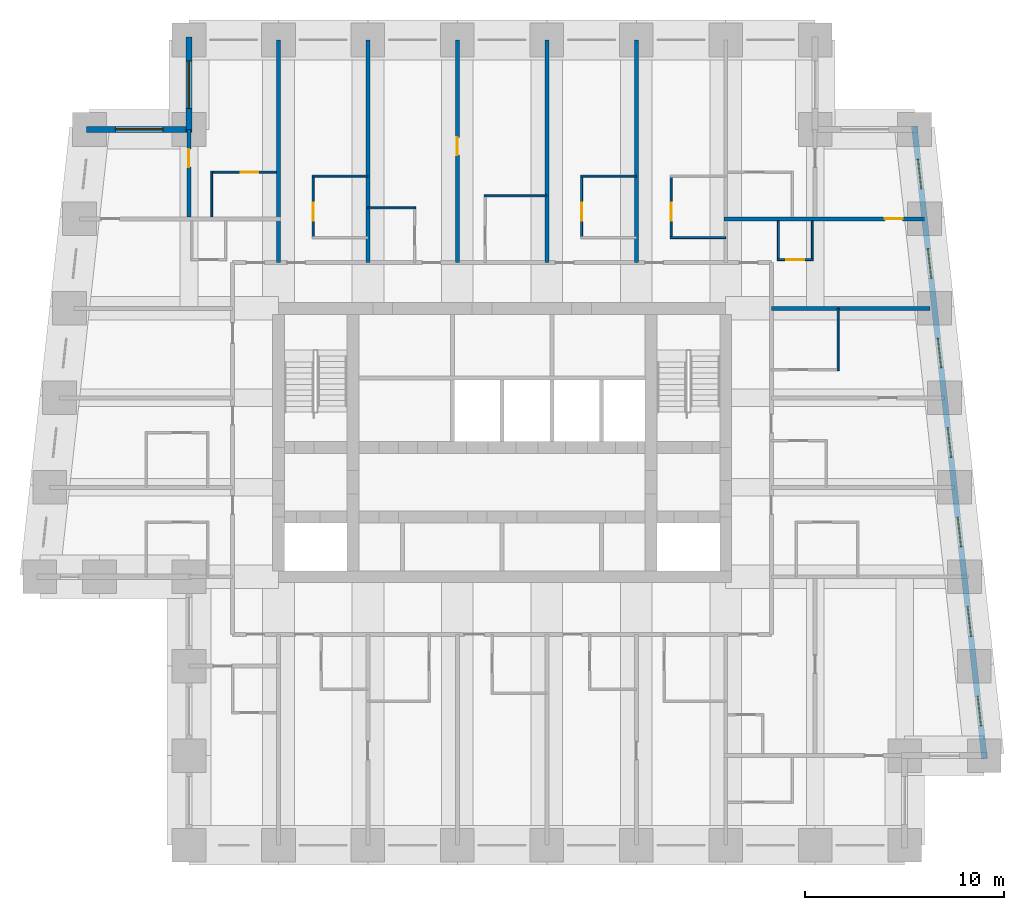
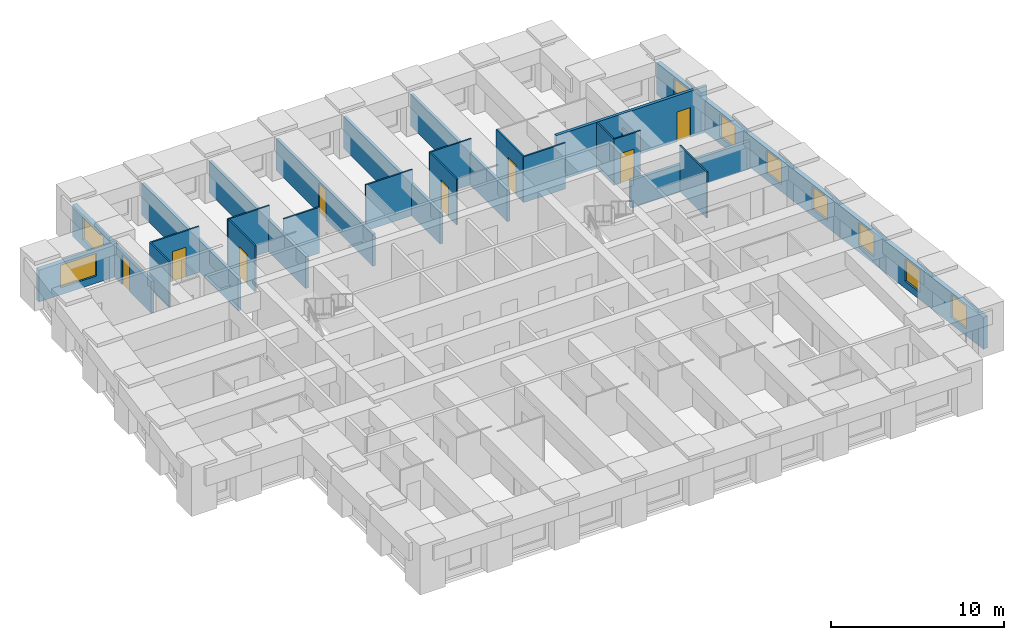
# One storey, part 6 of 8: 25 walls, 9 windows, 8 doors, 17 openings.
"""IFC4 building model written with IfcOpenShell, lengths in metres."""

from ifc_helpers import new_model, si_unit, direction, frame, frame_2d, origin, place, context, subcontext, project, spatial, rectangle, extrude, material, layer, layer_set, type_object, element, fill, save


model = new_model("IFC4")

# Units and contexts
model_context = context("Model", 3, precision=1e-05, world=origin(), true_north=direction((0.0, 1.0)))
body_context = subcontext(model_context, "Body", "Model", "MODEL_VIEW")
ifc_project = project(units=[si_unit("LENGTHUNIT", "METRE"), si_unit("AREAUNIT", "SQUARE_METRE"), si_unit("VOLUMEUNIT", "CUBIC_METRE"), si_unit("PLANEANGLEUNIT", "RADIAN"), si_unit("MASSUNIT", "GRAM", prefix="KILO")], contexts=[model_context])

# Site, building, storey
site_placement = place(None, origin())
site = spatial("IfcSite", under=ifc_project, at=site_placement, CompositionType="ELEMENT")
building_placement = place(site_placement, origin())
building = spatial("IfcBuilding", under=site, at=building_placement, Name="Kilele Tower Hotel", CompositionType="ELEMENT")
storey_placement = place(building_placement, frame((0.0, 0.0, 162.39990234375)))
storey = spatial("IfcBuildingStorey", under=building, at=storey_placement, Name="L41", CompositionType="ELEMENT", Elevation=162.39990234375)

# Walls
ifc_material_1 = material(Name="Moisture-resistant board")
ifc_layer_1 = layer(ifc_material_1, 0.10009765625)
ifc_layer_set_1 = layer_set([ifc_layer_1], Name="Moisture-resistant board")
wall_type_1 = type_object("IfcWallType", Name="Bathroom partition 100", PredefinedType="PLUMBINGWALL", material=ifc_layer_set_1)
wall_1_placement = place(storey_placement, frame((41.64990234375, 23.85009765625, 0.0), z_axis=(0.0, 0.0, 1.0), x_axis=(0.0, 1.0, 0.0)))
element("IfcWall", 1, at=wall_1_placement, inside=storey, type_object=wall_type_1, Name="Bathroom partition 100 L41", PredefinedType="PLUMBINGWALL", context=body_context, shape_type="SweptSolid", body=[
    extrude(rectangle(XDim=3.14990234375, YDim=0.10009765625, at=frame_2d((1.574951171875, 0.0))), origin(), (0.0, 0.0, 1.0), 3.25),
])
wall_2_placement = place(storey_placement, frame((15.199951171875, 33.64990234375, 0.0), z_axis=(0.0, 0.0, 1.0), x_axis=(1.0, 0.0, 0.0)))
element("IfcWall", 2, at=wall_2_placement, inside=storey, type_object=wall_type_1, Name="Bathroom partition 100 L41", PredefinedType="PLUMBINGWALL", context=body_context, shape_type="SweptSolid", body=[
    extrude(rectangle(XDim=2.800048828125, YDim=0.10009765625, at=frame_2d((1.39990234375, 0.0))), origin(), (0.0, 0.0, 1.0), 3.25),
])

# Wall, opening, door
wall_3_placement = place(storey_placement, frame((15.25, 30.5, 0.0), z_axis=(0.0, 0.0, 1.0), x_axis=(0.0, 1.0, 0.0)))
wall_3 = element("IfcWall", 3, at=wall_3_placement, inside=storey, type_object=wall_type_1, Name="Bathroom partition 100 L41", PredefinedType="PLUMBINGWALL", context=body_context, shape_type="SweptSolid", body=[
    extrude(rectangle(XDim=3.199951171875, YDim=0.10009765625, at=frame_2d((1.60009765625, 0.0))), origin(), (0.0, 0.0, 1.0), 3.25),
])
opening_1_placement = place(wall_3_placement, frame((0.89990234375, 0.0, 0.0)))
opening_1 = element("IfcOpeningElement", 4, at=opening_1_placement, cuts=wall_3, Name="Opening D2A", PredefinedType="OPENING", context=body_context, shape_type="SweptSolid", body=[
    extrude(rectangle(XDim=0.89990234375, YDim=2.10009765625, at=frame_2d((0.449951171875, 1.050048828125))), frame((0.0, 0.06005859375, 0.0), z_axis=(0.0, -1.0, 0.0), x_axis=(1.0, 0.0, 0.0)), (0.0, 0.0, 1.0), 0.1201171875),
])
ifc_material_2 = material(Name="Timber door leaf in hardwood frame", Category="wood")
door_type_1 = type_object("IfcDoorType", Name="Bathroom door 900", OperationType="SINGLE_SWING_LEFT", PredefinedType="DOOR", material=ifc_material_2)
door_1_placement = place(opening_1_placement, origin())
door_1 = element("IfcDoor", 5, at=door_1_placement, inside=storey, type_object=door_type_1, Name="Bathroom door 4109B", OperationType="SINGLE_SWING_LEFT", OverallHeight=2.10009765625, OverallWidth=0.89990234375, PredefinedType="DOOR", context=body_context, shape_type="SweptSolid", body=[
    extrude(rectangle(XDim=0.89990234375, YDim=2.10009765625, at=frame_2d((0.449951171875, 1.050048828125))), frame((0.0, 0.02490234375, 0.0), z_axis=(0.0, -1.0, 0.0), x_axis=(1.0, 0.0, 0.0)), (0.0, 0.0, 1.0), 0.050048828125),
])
fill(opening_1, door_1)

# Walls
wall_4_placement = place(storey_placement, frame((18.0, 32.050048828125, 0.0), z_axis=(0.0, 0.0, 1.0), x_axis=(1.0, 0.0, 0.0)))
element("IfcWall", 6, at=wall_4_placement, inside=storey, type_object=wall_type_1, Name="Bathroom partition 100 L41", PredefinedType="PLUMBINGWALL", context=body_context, shape_type="SweptSolid", body=[
    extrude(rectangle(XDim=2.39990234375, YDim=0.10009765625, at=frame_2d((1.199951171875, 0.0))), origin(), (0.0, 0.0, 1.0), 3.25),
])
wall_5_placement = place(storey_placement, frame((23.85009765625, 32.64990234375, 0.0), z_axis=(0.0, 0.0, 1.0), x_axis=(1.0, 0.0, 0.0)))
element("IfcWall", 7, at=wall_5_placement, inside=storey, type_object=wall_type_1, Name="Bathroom partition 100 L41", PredefinedType="PLUMBINGWALL", context=body_context, shape_type="SweptSolid", body=[
    extrude(rectangle(XDim=3.14990234375, YDim=0.10009765625, at=frame_2d((1.574951171875, 0.0))), origin(), (0.0, 0.0, 1.0), 3.25),
])
wall_6_placement = place(storey_placement, frame((28.699951171875, 33.64990234375, 0.0), z_axis=(0.0, 0.0, 1.0), x_axis=(1.0, 0.0, 0.0)))
element("IfcWall", 8, at=wall_6_placement, inside=storey, type_object=wall_type_1, Name="Bathroom partition 100 L41", PredefinedType="PLUMBINGWALL", context=body_context, shape_type="SweptSolid", body=[
    extrude(rectangle(XDim=2.800048828125, YDim=0.10009765625, at=frame_2d((1.39990234375, 0.0))), origin(), (0.0, 0.0, 1.0), 3.25),
])

# Wall, opening, door
wall_7_placement = place(storey_placement, frame((28.75, 30.5, 0.0), z_axis=(0.0, 0.0, 1.0), x_axis=(0.0, 1.0, 0.0)))
wall_7 = element("IfcWall", 9, at=wall_7_placement, inside=storey, type_object=wall_type_1, Name="Bathroom partition 100 L41", PredefinedType="PLUMBINGWALL", context=body_context, shape_type="SweptSolid", body=[
    extrude(rectangle(XDim=3.199951171875, YDim=0.10009765625, at=frame_2d((1.60009765625, 0.0))), origin(), (0.0, 0.0, 1.0), 3.25),
])
opening_2_placement = place(wall_7_placement, frame((0.89990234375, 0.0, 0.0)))
opening_2 = element("IfcOpeningElement", 10, at=opening_2_placement, cuts=wall_7, Name="Opening D2A", PredefinedType="OPENING", context=body_context, shape_type="SweptSolid", body=[
    extrude(rectangle(XDim=0.89990234375, YDim=2.10009765625, at=frame_2d((0.449951171875, 1.050048828125))), frame((0.0, 0.06005859375, 0.0), z_axis=(0.0, -1.0, 0.0), x_axis=(1.0, 0.0, 0.0)), (0.0, 0.0, 1.0), 0.1201171875),
])
door_2_placement = place(opening_2_placement, origin())
door_2 = element("IfcDoor", 11, at=door_2_placement, inside=storey, type_object=door_type_1, Name="Bathroom door 4112B", OperationType="SINGLE_SWING_LEFT", OverallHeight=2.10009765625, OverallWidth=0.89990234375, PredefinedType="DOOR", context=body_context, shape_type="SweptSolid", body=[
    extrude(rectangle(XDim=0.89990234375, YDim=2.10009765625, at=frame_2d((0.449951171875, 1.050048828125))), frame((0.0, 0.02490234375, 0.0), z_axis=(0.0, -1.0, 0.0), x_axis=(1.0, 0.0, 0.0)), (0.0, 0.0, 1.0), 0.050048828125),
])
fill(opening_2, door_2)

# Wall
wall_8_placement = place(storey_placement, frame((33.199951171875, 30.550048828125, 0.0), z_axis=(0.0, 0.0, 1.0), x_axis=(1.0, 0.0, 0.0)))
element("IfcWall", 12, at=wall_8_placement, inside=storey, type_object=wall_type_1, Name="Bathroom partition 100 L41", PredefinedType="PLUMBINGWALL", context=body_context, shape_type="SweptSolid", body=[
    extrude(rectangle(XDim=2.800048828125, YDim=0.10009765625, at=frame_2d((1.39990234375, 0.0))), origin(), (0.0, 0.0, 1.0), 3.25),
])

# Wall, opening, door
wall_9_placement = place(storey_placement, frame((33.25, 30.5, 0.0), z_axis=(0.0, 0.0, 1.0), x_axis=(0.0, 1.0, 0.0)))
wall_9 = element("IfcWall", 13, at=wall_9_placement, inside=storey, type_object=wall_type_1, Name="Bathroom partition 100 L41", PredefinedType="PLUMBINGWALL", context=body_context, shape_type="SweptSolid", body=[
    extrude(rectangle(XDim=3.199951171875, YDim=0.10009765625, at=frame_2d((1.60009765625, 0.0))), origin(), (0.0, 0.0, 1.0), 3.25),
])
opening_3_placement = place(wall_9_placement, frame((0.89990234375, 0.0, 0.0)))
opening_3 = element("IfcOpeningElement", 14, at=opening_3_placement, cuts=wall_9, Name="Opening D2A", PredefinedType="OPENING", context=body_context, shape_type="SweptSolid", body=[
    extrude(rectangle(XDim=0.89990234375, YDim=2.10009765625, at=frame_2d((0.449951171875, 1.050048828125))), frame((0.0, 0.06005859375, 0.0), z_axis=(0.0, -1.0, 0.0), x_axis=(1.0, 0.0, 0.0)), (0.0, 0.0, 1.0), 0.1201171875),
])
door_3_placement = place(opening_3_placement, origin())
door_3 = element("IfcDoor", 15, at=door_3_placement, inside=storey, type_object=door_type_1, Name="Bathroom door 4113B", OperationType="SINGLE_SWING_LEFT", OverallHeight=2.10009765625, OverallWidth=0.89990234375, PredefinedType="DOOR", context=body_context, shape_type="SweptSolid", body=[
    extrude(rectangle(XDim=0.89990234375, YDim=2.10009765625, at=frame_2d((0.449951171875, 1.050048828125))), frame((0.0, 0.02490234375, 0.0), z_axis=(0.0, -1.0, 0.0), x_axis=(1.0, 0.0, 0.0)), (0.0, 0.0, 1.0), 0.050048828125),
])
fill(opening_3, door_3)

# Walls
wall_10_placement = place(storey_placement, frame((40.35009765625, 31.39990234375, 0.0), z_axis=(0.0, 0.0, 1.0), x_axis=(0.0, -1.0, 0.0)))
element("IfcWall", 16, at=wall_10_placement, inside=storey, type_object=wall_type_1, Name="Bathroom partition 100 L41", PredefinedType="PLUMBINGWALL", context=body_context, shape_type="SweptSolid", body=[
    extrude(rectangle(XDim=2.0, YDim=0.10009765625, at=frame_2d((1.0, 0.0))), origin(), (0.0, 0.0, 1.0), 2.25),
])
wall_11_placement = place(storey_placement, frame((38.64990234375, 31.39990234375, 0.0), z_axis=(0.0, 0.0, 1.0), x_axis=(0.0, -1.0, 0.0)))
element("IfcWall", 17, at=wall_11_placement, inside=storey, type_object=wall_type_1, Name="Bathroom partition 100 L41", PredefinedType="PLUMBINGWALL", context=body_context, shape_type="SweptSolid", body=[
    extrude(rectangle(XDim=2.0, YDim=0.10009765625, at=frame_2d((1.0, 0.0))), origin(), (0.0, 0.0, 1.0), 3.25),
])

# Wall, opening, door
wall_12_placement = place(storey_placement, frame((38.60009765625, 29.449951171875, 0.0), z_axis=(0.0, 0.0, 1.0), x_axis=(1.0, 0.0, 0.0)))
wall_12 = element("IfcWall", 18, at=wall_12_placement, inside=storey, type_object=wall_type_1, Name="Bathroom partition 100 L41", PredefinedType="PLUMBINGWALL", context=body_context, shape_type="SweptSolid", body=[
    extrude(rectangle(XDim=1.7998046875, YDim=0.10009765625, at=frame_2d((0.89990234375, 0.0))), origin(), (0.0, 0.0, 1.0), 3.25),
])
opening_4_placement = place(wall_12_placement, frame((1.349853515625, 0.0, 0.0), z_axis=(0.0, 0.0, 1.0), x_axis=(-1.0, 0.0, 0.0)))
opening_4 = element("IfcOpeningElement", 19, at=opening_4_placement, cuts=wall_12, Name="Opening D2A", PredefinedType="OPENING", context=body_context, shape_type="SweptSolid", body=[
    extrude(rectangle(XDim=0.89990234375, YDim=2.10009765625, at=frame_2d((0.449951171875, 1.050048828125))), frame((0.0, 0.06005859375, 0.0), z_axis=(0.0, -1.0, 0.0), x_axis=(1.0, 0.0, 0.0)), (0.0, 0.0, 1.0), 0.1201171875),
])
door_4_placement = place(opening_4_placement, origin())
door_4 = element("IfcDoor", 20, at=door_4_placement, inside=storey, type_object=door_type_1, Name="Bathroom door 4122P", OperationType="SINGLE_SWING_RIGHT", OverallHeight=2.10009765625, OverallWidth=0.89990234375, PredefinedType="DOOR", context=body_context, shape_type="SweptSolid", body=[
    extrude(rectangle(XDim=0.89990234375, YDim=2.10009765625, at=frame_2d((0.449951171875, 1.050048828125))), frame((0.0, 0.02490234375, 0.0), z_axis=(0.0, -1.0, 0.0), x_axis=(1.0, 0.0, 0.0)), (0.0, 0.0, 1.0), 0.050048828125),
])
fill(opening_4, door_4)

# Wall
wall_13_placement = place(storey_placement, frame((10.14990234375, 31.60009765625, 0.0), z_axis=(0.0, 0.0, 1.0), x_axis=(0.0, 1.0, 0.0)))
element("IfcWall", 21, at=wall_13_placement, inside=storey, type_object=wall_type_1, Name="Bathroom partition 100 L41", PredefinedType="PLUMBINGWALL", context=body_context, shape_type="SweptSolid", body=[
    extrude(rectangle(XDim=2.2998046875, YDim=0.10009765625, at=frame_2d((1.14990234375, 0.0))), origin(), (0.0, 0.0, 1.0), 3.25),
])

# Wall, opening, door
wall_14_placement = place(storey_placement, frame((13.39990234375, 33.85009765625, 0.0), z_axis=(0.0, 0.0, 1.0), x_axis=(-1.0, 0.0, 0.0)))
wall_14 = element("IfcWall", 22, at=wall_14_placement, inside=storey, type_object=wall_type_1, Name="Bathroom partition 100 L41", PredefinedType="PLUMBINGWALL", context=body_context, shape_type="SweptSolid", body=[
    extrude(rectangle(XDim=3.2998046875, YDim=0.10009765625, at=frame_2d((1.64990234375, 0.0))), origin(), (0.0, 0.0, 1.0), 3.25),
])
opening_5_placement = place(wall_14_placement, frame((1.7998046875, 0.0, 0.0), z_axis=(0.0, 0.0, 1.0), x_axis=(-1.0, 0.0, 0.0)))
opening_5 = element("IfcOpeningElement", 23, at=opening_5_placement, cuts=wall_14, Name="Opening D2A", PredefinedType="OPENING", context=body_context, shape_type="SweptSolid", body=[
    extrude(rectangle(XDim=0.89990234375, YDim=2.10009765625, at=frame_2d((0.449951171875, 1.050048828125))), frame((0.0, 0.06005859375, 0.0), z_axis=(0.0, -1.0, 0.0), x_axis=(1.0, 0.0, 0.0)), (0.0, 0.0, 1.0), 0.1201171875),
])
door_5_placement = place(opening_5_placement, origin())
door_5 = element("IfcDoor", 24, at=door_5_placement, inside=storey, type_object=door_type_1, Name="Bathroom door 4126B", OperationType="SINGLE_SWING_RIGHT", OverallHeight=2.10009765625, OverallWidth=0.89990234375, PredefinedType="DOOR", context=body_context, shape_type="SweptSolid", body=[
    extrude(rectangle(XDim=0.89990234375, YDim=2.10009765625, at=frame_2d((0.449951171875, 1.050048828125))), frame((0.0, 0.02490234375, 0.0), z_axis=(0.0, -1.0, 0.0), x_axis=(1.0, 0.0, 0.0)), (0.0, 0.0, 1.0), 0.050048828125),
])
fill(opening_5, door_5)

ifc_material_3 = material(Name="Blockwork, plastered both sides", Category="masonry")
ifc_layer_2 = layer(ifc_material_3, 0.199951171875)
ifc_layer_set_2 = layer_set([ifc_layer_2], Name="Blockwork, plastered both sides")
wall_type_2 = type_object("IfcWallType", Name="Partition wall 200", PredefinedType="PARTITIONING", material=ifc_layer_set_2)
wall_15_placement = place(storey_placement, frame((9.0, 31.60009765625, 0.0), z_axis=(0.0, 0.0, 1.0), x_axis=(0.0, 1.0, 0.0)))
wall_15 = element("IfcWall", 25, at=wall_15_placement, inside=storey, type_object=wall_type_2, Name="Partition wall 200 L41", PredefinedType="PARTITIONING", context=body_context, shape_type="SweptSolid", body=[
    extrude(rectangle(XDim=4.39990234375, YDim=0.199951171875, at=frame_2d((2.199951171875, 0.0))), origin(), (0.0, 0.0, 1.0), 2.25),
])
opening_6_placement = place(wall_15_placement, frame((2.5, 0.0, 0.0)))
opening_6 = element("IfcOpeningElement", 26, at=opening_6_placement, cuts=wall_15, Name="Opening D3", PredefinedType="OPENING", context=body_context, shape_type="SweptSolid", body=[
    extrude(rectangle(XDim=0.89990234375, YDim=2.10009765625, at=frame_2d((0.449951171875, 1.050048828125))), frame((0.0, 0.10986328125, 0.0), z_axis=(0.0, -1.0, 0.0), x_axis=(1.0, 0.0, 0.0)), (0.0, 0.0, 1.0), 0.219970703125),
])
ifc_material_4 = material(Name="Timber door leaf in hardwood frame", Category="wood")
door_type_2 = type_object("IfcDoorType", Name="Suite internal door 900", OperationType="SINGLE_SWING_LEFT", PredefinedType="DOOR", material=ifc_material_4)
door_6_placement = place(opening_6_placement, origin())
door_6 = element("IfcDoor", 27, at=door_6_placement, inside=storey, type_object=door_type_2, Name="Suite door 4127", OperationType="SINGLE_SWING_RIGHT", OverallHeight=2.10009765625, OverallWidth=0.89990234375, PredefinedType="DOOR", context=body_context, shape_type="SweptSolid", body=[
    extrude(rectangle(XDim=0.89990234375, YDim=2.10009765625, at=frame_2d((0.449951171875, 1.050048828125))), frame((0.0, 0.02490234375, 0.0), z_axis=(0.0, -1.0, 0.0), x_axis=(1.0, 0.0, 0.0)), (0.0, 0.0, 1.0), 0.050048828125),
])
fill(opening_6, door_6)

# Wall
ifc_material_5 = material(Name="Blockwork, plastered both sides", Category="masonry")
ifc_layer_3 = layer(ifc_material_5, 0.199951171875)
ifc_layer_set_3 = layer_set([ifc_layer_3], Name="Blockwork, plastered both sides")
wall_type_3 = type_object("IfcWallType", Name="Party wall 200", PredefinedType="PARTITIONING", material=ifc_layer_set_3)
wall_16_placement = place(storey_placement, frame((18.0, 29.300048828125, 0.0), z_axis=(0.0, 0.0, 1.0), x_axis=(0.0, 1.0, 0.0)))
element("IfcWall", 28, at=wall_16_placement, inside=storey, type_object=wall_type_3, Name="Party wall 200 L41", PredefinedType="PARTITIONING", context=body_context, shape_type="SweptSolid", body=[
    extrude(rectangle(XDim=11.199951171875, YDim=0.199951171875, at=frame_2d((5.60009765625, 0.0))), origin(), (0.0, 0.0, 1.0), 2.25),
])

# Wall, opening, door
wall_17_placement = place(storey_placement, frame((22.5, 29.300048828125, 0.0), z_axis=(0.0, 0.0, 1.0), x_axis=(0.0, 1.0, 0.0)))
wall_17 = element("IfcWall", 29, at=wall_17_placement, inside=storey, type_object=wall_type_3, Name="Party wall 200 L41", PredefinedType="PARTITIONING", context=body_context, shape_type="SweptSolid", body=[
    extrude(rectangle(XDim=11.199951171875, YDim=0.199951171875, at=frame_2d((5.60009765625, 0.0))), origin(), (0.0, 0.0, 1.0), 2.25),
])
opening_7_placement = place(wall_17_placement, frame((5.39990234375, 0.0, 0.0)))
opening_7 = element("IfcOpeningElement", 30, at=opening_7_placement, cuts=wall_17, Name="Opening D3", PredefinedType="OPENING", context=body_context, shape_type="SweptSolid", body=[
    extrude(rectangle(XDim=0.89990234375, YDim=2.10009765625, at=frame_2d((0.449951171875, 1.050048828125))), frame((0.0, 0.10986328125, 0.0), z_axis=(0.0, -1.0, 0.0), x_axis=(1.0, 0.0, 0.0)), (0.0, 0.0, 1.0), 0.219970703125),
])
door_7_placement = place(opening_7_placement, origin())
door_7 = element("IfcDoor", 31, at=door_7_placement, inside=storey, type_object=door_type_2, Name="Suite door 4111", OperationType="SINGLE_SWING_RIGHT", OverallHeight=2.10009765625, OverallWidth=0.89990234375, PredefinedType="DOOR", context=body_context, shape_type="SweptSolid", body=[
    extrude(rectangle(XDim=0.89990234375, YDim=2.10009765625, at=frame_2d((0.449951171875, 1.050048828125))), frame((0.0, 0.02490234375, 0.0), z_axis=(0.0, -1.0, 0.0), x_axis=(1.0, 0.0, 0.0)), (0.0, 0.0, 1.0), 0.050048828125),
])
fill(opening_7, door_7)

# Walls
for number, where, z_axis, x_axis, name in (
    (32, (27.0, 29.300048828125, 0.0), (0.0, 0.0, 1.0), (0.0, 1.0, 0.0), "Party wall 200 L41"),
    (33, (31.5, 29.300048828125, 0.0), (0.0, 0.0, 1.0), (0.0, 1.0, 0.0), "Party wall 200 L41"),
):
    element("IfcWall", number, at=place(storey_placement, frame(where, z_axis=z_axis, x_axis=x_axis)), inside=storey, type_object=wall_type_3, Name=name, PredefinedType="PARTITIONING", context=body_context, shape_type="SweptSolid", body=[
        extrude(rectangle(XDim=11.199951171875, YDim=0.199951171875, at=frame_2d((5.60009765625, 0.0))), origin(), (0.0, 0.0, 1.0), 2.25),
    ])
wall_18_placement = place(storey_placement, frame((38.300048828125, 27.0, 0.0), z_axis=(0.0, 0.0, 1.0), x_axis=(1.0, 0.0, 0.0)))
element("IfcWall", 34, at=wall_18_placement, inside=storey, type_object=wall_type_3, Name="Party wall 200 L41", PredefinedType="PARTITIONING", context=body_context, shape_type="SweptSolid", body=[
    extrude(rectangle(XDim=7.976806640625, YDim=0.199951171875, at=frame_2d((3.98828125, 0.0))), origin(), (0.0, 0.0, 1.0), 1.9501953125),
])

# Wall, opening, door
wall_19_placement = place(storey_placement, frame((35.89990234375, 31.5, 0.0), z_axis=(0.0, 0.0, 1.0), x_axis=(1.0, 0.0, 0.0)))
wall_19 = element("IfcWall", 35, at=wall_19_placement, inside=storey, type_object=wall_type_3, Name="Party wall 200 L41", PredefinedType="PARTITIONING", context=body_context, shape_type="SweptSolid", body=[
    extrude(rectangle(XDim=10.09912109375, YDim=0.199951171875, at=frame_2d((5.049560546875, 0.0))), origin(), (0.0, 0.0, 1.0), 3.25),
])
opening_8_placement = place(wall_19_placement, frame((8.09912109375, 0.0, 0.0)))
opening_8 = element("IfcOpeningElement", 36, at=opening_8_placement, cuts=wall_19, Name="Opening D3", PredefinedType="OPENING", context=body_context, shape_type="SweptSolid", body=[
    extrude(rectangle(XDim=0.89990234375, YDim=2.10009765625, at=frame_2d((0.449951171875, 1.050048828125))), frame((0.0, 0.10986328125, 0.0), z_axis=(0.0, -1.0, 0.0), x_axis=(1.0, 0.0, 0.0)), (0.0, 0.0, 1.0), 0.219970703125),
])
door_8_placement = place(opening_8_placement, origin())
door_8 = element("IfcDoor", 37, at=door_8_placement, inside=storey, type_object=door_type_2, Name="Suite door 4123", OperationType="SINGLE_SWING_RIGHT", OverallHeight=2.10009765625, OverallWidth=0.89990234375, PredefinedType="DOOR", context=body_context, shape_type="SweptSolid", body=[
    extrude(rectangle(XDim=0.89990234375, YDim=2.10009765625, at=frame_2d((0.449951171875, 1.050048828125))), frame((0.0, 0.02490234375, 0.0), z_axis=(0.0, -1.0, 0.0), x_axis=(1.0, 0.0, 0.0)), (0.0, 0.0, 1.0), 0.050048828125),
])
fill(opening_8, door_8)

# Wall
wall_20_placement = place(storey_placement, frame((13.5, 29.300048828125, 0.0), z_axis=(0.0, 0.0, 1.0), x_axis=(0.0, 1.0, 0.0)))
element("IfcWall", 38, at=wall_20_placement, inside=storey, type_object=wall_type_3, Name="Party wall 200 L41", PredefinedType="PARTITIONING", context=body_context, shape_type="SweptSolid", body=[
    extrude(rectangle(XDim=11.199951171875, YDim=0.199951171875, at=frame_2d((5.60009765625, 0.0))), origin(), (0.0, 0.0, 1.0), 2.25),
])

# Wall, openings, windows
ifc_material_6 = material(Name="Concrete C40/50 precast", Category="concrete")
ifc_layer_4 = layer(ifc_material_6, 0.260009765625, Name="Precast backing", Category="LoadBearing")
ifc_material_7 = material(Name="Reconstituted stone finish", Category="masonry")
ifc_layer_5 = layer(ifc_material_7, 0.0400390625, Name="Face mix", Category="Finish")
ifc_layer_set_4 = layer_set([ifc_layer_4, ifc_layer_5], Name="Precast concrete C40/50, reconstituted stone finish")
wall_type_4 = type_object("IfcWallType", Name="Precast stone facade wall 300", PredefinedType="STANDARD", material=ifc_layer_set_4)
wall_21_placement = place(storey_placement, frame((49.0166015625, 4.350830078125, 0.0), z_axis=(0.0, 0.0, 1.0), x_axis=(-0.110433201132, 0.993883548555, 0.0)))
wall_21 = element("IfcWall", 39, at=wall_21_placement, inside=storey, type_object=wall_type_4, Name="Facade wall L41 edge 6", PredefinedType="STANDARD", context=body_context, shape_type="SweptSolid", body=[
    extrude(rectangle(XDim=31.994140625, YDim=0.300048828125, at=frame_2d((15.9970703125, 0.0))), origin(), (0.0, 0.0, 1.0), 2.25),
])
opening_9_placement = place(wall_21_placement, frame((1.6640625, 0.0, 0.5)))
opening_9 = element("IfcOpeningElement", 40, at=opening_9_placement, cuts=wall_21, Name="Opening W3", PredefinedType="OPENING", context=body_context, shape_type="SweptSolid", body=[
    extrude(rectangle(XDim=1.5, YDim=1.60009765625, at=frame_2d((0.75, 0.800048828125))), frame((0.0, 0.159912109375, 0.0), z_axis=(0.0, -1.0, 0.0), x_axis=(1.0, 0.0, 0.0)), (0.0, 0.0, 1.0), 0.320068359375),
])
opening_10_placement = place(wall_21_placement, frame((6.19189453125, 0.0, 0.5)))
opening_10 = element("IfcOpeningElement", 41, at=opening_10_placement, cuts=wall_21, Name="Opening W3", PredefinedType="OPENING", context=body_context, shape_type="SweptSolid", body=[
    extrude(rectangle(XDim=1.5, YDim=1.60009765625, at=frame_2d((0.75, 0.800048828125))), frame((0.0, 0.159912109375, 0.0), z_axis=(0.0, -1.0, 0.0), x_axis=(1.0, 0.0, 0.0)), (0.0, 0.0, 1.0), 0.320068359375),
])
opening_11_placement = place(wall_21_placement, frame((10.718994140625, 0.0, 0.5)))
opening_11 = element("IfcOpeningElement", 42, at=opening_11_placement, cuts=wall_21, Name="Opening W3", PredefinedType="OPENING", context=body_context, shape_type="SweptSolid", body=[
    extrude(rectangle(XDim=1.5, YDim=1.60009765625, at=frame_2d((0.75, 0.800048828125))), frame((0.0, 0.159912109375, 0.0), z_axis=(0.0, -1.0, 0.0), x_axis=(1.0, 0.0, 0.0)), (0.0, 0.0, 1.0), 0.320068359375),
])
opening_12_placement = place(wall_21_placement, frame((15.2470703125, 0.0, 0.5)))
opening_12 = element("IfcOpeningElement", 43, at=opening_12_placement, cuts=wall_21, Name="Opening W3", PredefinedType="OPENING", context=body_context, shape_type="SweptSolid", body=[
    extrude(rectangle(XDim=1.5, YDim=1.60009765625, at=frame_2d((0.75, 0.800048828125))), frame((0.0, 0.159912109375, 0.0), z_axis=(0.0, -1.0, 0.0), x_axis=(1.0, 0.0, 0.0)), (0.0, 0.0, 1.0), 0.320068359375),
])
opening_13_placement = place(wall_21_placement, frame((19.77490234375, 0.0, 0.5)))
opening_13 = element("IfcOpeningElement", 44, at=opening_13_placement, cuts=wall_21, Name="Opening W3", PredefinedType="OPENING", context=body_context, shape_type="SweptSolid", body=[
    extrude(rectangle(XDim=1.5, YDim=1.60009765625, at=frame_2d((0.75, 0.800048828125))), frame((0.0, 0.159912109375, 0.0), z_axis=(0.0, -1.0, 0.0), x_axis=(1.0, 0.0, 0.0)), (0.0, 0.0, 1.0), 0.320068359375),
])
opening_14_placement = place(wall_21_placement, frame((24.302001953125, 0.0, 0.5)))
opening_14 = element("IfcOpeningElement", 45, at=opening_14_placement, cuts=wall_21, Name="Opening W3", PredefinedType="OPENING", context=body_context, shape_type="SweptSolid", body=[
    extrude(rectangle(XDim=1.5, YDim=1.60009765625, at=frame_2d((0.75, 0.800048828125))), frame((0.0, 0.159912109375, 0.0), z_axis=(0.0, -1.0, 0.0), x_axis=(1.0, 0.0, 0.0)), (0.0, 0.0, 1.0), 0.320068359375),
])
opening_15_placement = place(wall_21_placement, frame((28.830078125, 0.0, 0.5)))
opening_15 = element("IfcOpeningElement", 46, at=opening_15_placement, cuts=wall_21, Name="Opening W3", PredefinedType="OPENING", context=body_context, shape_type="SweptSolid", body=[
    extrude(rectangle(XDim=1.5, YDim=1.60009765625, at=frame_2d((0.75, 0.800048828125))), frame((0.0, 0.159912109375, 0.0), z_axis=(0.0, -1.0, 0.0), x_axis=(1.0, 0.0, 0.0)), (0.0, 0.0, 1.0), 0.320068359375),
])
ifc_material_8 = material(Name="Aluminium frame, clear double glazing", Category="aluminium")
window_type_1 = type_object("IfcWindowType", Name="Window W3 1500 x 1600", PartitioningType="SINGLE_PANEL", PredefinedType="WINDOW", material=ifc_material_8)
window_1_placement = place(opening_9_placement, origin())
window_1 = element("IfcWindow", 47, at=window_1_placement, inside=storey, type_object=window_type_1, Name="Window L41", OverallHeight=1.60009765625, OverallWidth=1.5, PartitioningType="SINGLE_PANEL", PredefinedType="WINDOW", context=body_context, shape_type="SweptSolid", body=[
    extrude(rectangle(XDim=1.5, YDim=1.60009765625, at=frame_2d((0.75, 0.800048828125))), frame((0.0, 0.030029296875, 0.0), z_axis=(0.0, -1.0, 0.0), x_axis=(1.0, 0.0, 0.0)), (0.0, 0.0, 1.0), 0.06005859375),
])
fill(opening_9, window_1)
window_2_placement = place(opening_10_placement, origin())
window_2 = element("IfcWindow", 48, at=window_2_placement, inside=storey, type_object=window_type_1, Name="Window L41", OverallHeight=1.60009765625, OverallWidth=1.5, PartitioningType="SINGLE_PANEL", PredefinedType="WINDOW", context=body_context, shape_type="SweptSolid", body=[
    extrude(rectangle(XDim=1.5, YDim=1.60009765625, at=frame_2d((0.75, 0.800048828125))), frame((0.0, 0.030029296875, 0.0), z_axis=(0.0, -1.0, 0.0), x_axis=(1.0, 0.0, 0.0)), (0.0, 0.0, 1.0), 0.06005859375),
])
fill(opening_10, window_2)
window_3_placement = place(opening_11_placement, origin())
window_3 = element("IfcWindow", 49, at=window_3_placement, inside=storey, type_object=window_type_1, Name="Window L41", OverallHeight=1.60009765625, OverallWidth=1.5, PartitioningType="SINGLE_PANEL", PredefinedType="WINDOW", context=body_context, shape_type="SweptSolid", body=[
    extrude(rectangle(XDim=1.5, YDim=1.60009765625, at=frame_2d((0.75, 0.800048828125))), frame((0.0, 0.030029296875, 0.0), z_axis=(0.0, -1.0, 0.0), x_axis=(1.0, 0.0, 0.0)), (0.0, 0.0, 1.0), 0.06005859375),
])
fill(opening_11, window_3)
window_4_placement = place(opening_12_placement, origin())
window_4 = element("IfcWindow", 50, at=window_4_placement, inside=storey, type_object=window_type_1, Name="Window L41", OverallHeight=1.60009765625, OverallWidth=1.5, PartitioningType="SINGLE_PANEL", PredefinedType="WINDOW", context=body_context, shape_type="SweptSolid", body=[
    extrude(rectangle(XDim=1.5, YDim=1.60009765625, at=frame_2d((0.75, 0.800048828125))), frame((0.0, 0.030029296875, 0.0), z_axis=(0.0, -1.0, 0.0), x_axis=(1.0, 0.0, 0.0)), (0.0, 0.0, 1.0), 0.06005859375),
])
fill(opening_12, window_4)
window_5_placement = place(opening_13_placement, origin())
window_5 = element("IfcWindow", 51, at=window_5_placement, inside=storey, type_object=window_type_1, Name="Window L41", OverallHeight=1.60009765625, OverallWidth=1.5, PartitioningType="SINGLE_PANEL", PredefinedType="WINDOW", context=body_context, shape_type="SweptSolid", body=[
    extrude(rectangle(XDim=1.5, YDim=1.60009765625, at=frame_2d((0.75, 0.800048828125))), frame((0.0, 0.030029296875, 0.0), z_axis=(0.0, -1.0, 0.0), x_axis=(1.0, 0.0, 0.0)), (0.0, 0.0, 1.0), 0.06005859375),
])
fill(opening_13, window_5)
window_6_placement = place(opening_14_placement, origin())
window_6 = element("IfcWindow", 52, at=window_6_placement, inside=storey, type_object=window_type_1, Name="Window L41", OverallHeight=1.60009765625, OverallWidth=1.5, PartitioningType="SINGLE_PANEL", PredefinedType="WINDOW", context=body_context, shape_type="SweptSolid", body=[
    extrude(rectangle(XDim=1.5, YDim=1.60009765625, at=frame_2d((0.75, 0.800048828125))), frame((0.0, 0.030029296875, 0.0), z_axis=(0.0, -1.0, 0.0), x_axis=(1.0, 0.0, 0.0)), (0.0, 0.0, 1.0), 0.06005859375),
])
fill(opening_14, window_6)
window_7_placement = place(opening_15_placement, origin())
window_7 = element("IfcWindow", 53, at=window_7_placement, inside=storey, type_object=window_type_1, Name="Window L41", OverallHeight=1.60009765625, OverallWidth=1.5, PartitioningType="SINGLE_PANEL", PredefinedType="WINDOW", context=body_context, shape_type="SweptSolid", body=[
    extrude(rectangle(XDim=1.5, YDim=1.60009765625, at=frame_2d((0.75, 0.800048828125))), frame((0.0, 0.030029296875, 0.0), z_axis=(0.0, -1.0, 0.0), x_axis=(1.0, 0.0, 0.0)), (0.0, 0.0, 1.0), 0.06005859375),
])
fill(opening_15, window_7)

# Wall, opening, window
wall_22_placement = place(storey_placement, frame((9.0, 40.64990234375, 0.0), z_axis=(0.0, 0.0, 1.0), x_axis=(0.0, -1.0, 0.0)))
wall_22 = element("IfcWall", 54, at=wall_22_placement, inside=storey, type_object=wall_type_4, Name="Facade wall L41 edge 10", PredefinedType="STANDARD", context=body_context, shape_type="SweptSolid", body=[
    extrude(rectangle(XDim=4.7998046875, YDim=0.300048828125, at=frame_2d((2.39990234375, 0.0))), origin(), (0.0, 0.0, 1.0), 2.25),
])
opening_16_placement = place(wall_22_placement, frame((1.199951171875, 0.0, 0.5)))
opening_16 = element("IfcOpeningElement", 55, at=opening_16_placement, cuts=wall_22, Name="Opening W3", PredefinedType="OPENING", context=body_context, shape_type="SweptSolid", body=[
    extrude(rectangle(XDim=2.39990234375, YDim=1.60009765625, at=frame_2d((1.199951171875, 0.800048828125))), frame((0.0, 0.159912109375, 0.0), z_axis=(0.0, -1.0, 0.0), x_axis=(1.0, 0.0, 0.0)), (0.0, 0.0, 1.0), 0.320068359375),
])
ifc_material_9 = material(Name="Aluminium frame, clear double glazing", Category="aluminium")
window_type_2 = type_object("IfcWindowType", Name="Window W3 2400 x 1600", PartitioningType="SINGLE_PANEL", PredefinedType="WINDOW", material=ifc_material_9)
window_8_placement = place(opening_16_placement, origin())
window_8 = element("IfcWindow", 56, at=window_8_placement, inside=storey, type_object=window_type_2, Name="Window L41", OverallHeight=1.60009765625, OverallWidth=2.39990234375, PartitioningType="SINGLE_PANEL", PredefinedType="WINDOW", context=body_context, shape_type="SweptSolid", body=[
    extrude(rectangle(XDim=2.39990234375, YDim=1.60009765625, at=frame_2d((1.199951171875, 0.800048828125))), frame((0.0, 0.030029296875, 0.0), z_axis=(0.0, -1.0, 0.0), x_axis=(1.0, 0.0, 0.0)), (0.0, 0.0, 1.0), 0.06005859375),
])
fill(opening_16, window_8)

wall_23_placement = place(storey_placement, frame((9.14990234375, 36.0, 0.0), z_axis=(0.0, 0.0, 1.0), x_axis=(-1.0, 0.0, 0.0)))
wall_23 = element("IfcWall", 57, at=wall_23_placement, inside=storey, type_object=wall_type_4, Name="Facade wall L41 edge 11", PredefinedType="STANDARD", context=body_context, shape_type="SweptSolid", body=[
    extrude(rectangle(XDim=5.2998046875, YDim=0.300048828125, at=frame_2d((2.64990234375, 0.0))), origin(), (0.0, 0.0, 1.0), 2.25),
])
opening_17_placement = place(wall_23_placement, frame((1.449951171875, 0.0, 0.5)))
opening_17 = element("IfcOpeningElement", 58, at=opening_17_placement, cuts=wall_23, Name="Opening W3", PredefinedType="OPENING", context=body_context, shape_type="SweptSolid", body=[
    extrude(rectangle(XDim=2.39990234375, YDim=1.60009765625, at=frame_2d((1.199951171875, 0.800048828125))), frame((0.0, 0.159912109375, 0.0), z_axis=(0.0, -1.0, 0.0), x_axis=(1.0, 0.0, 0.0)), (0.0, 0.0, 1.0), 0.320068359375),
])
window_9_placement = place(opening_17_placement, origin())
window_9 = element("IfcWindow", 59, at=window_9_placement, inside=storey, type_object=window_type_2, Name="Window L41", OverallHeight=1.60009765625, OverallWidth=2.39990234375, PartitioningType="SINGLE_PANEL", PredefinedType="WINDOW", context=body_context, shape_type="SweptSolid", body=[
    extrude(rectangle(XDim=2.39990234375, YDim=1.60009765625, at=frame_2d((1.199951171875, 0.800048828125))), frame((0.0, 0.030029296875, 0.0), z_axis=(0.0, -1.0, 0.0), x_axis=(1.0, 0.0, 0.0)), (0.0, 0.0, 1.0), 0.06005859375),
])
fill(opening_17, window_9)

save(model, "model.ifc")
